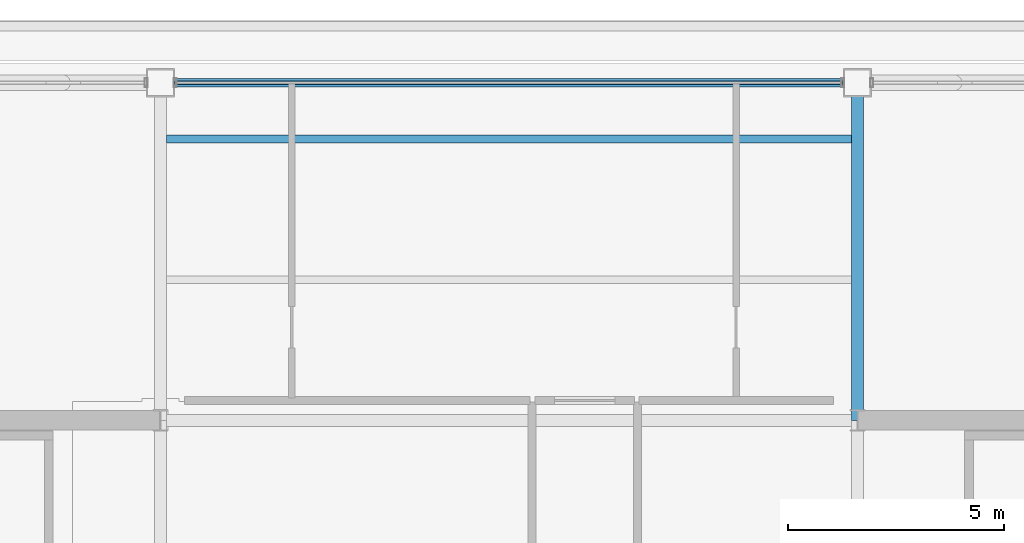
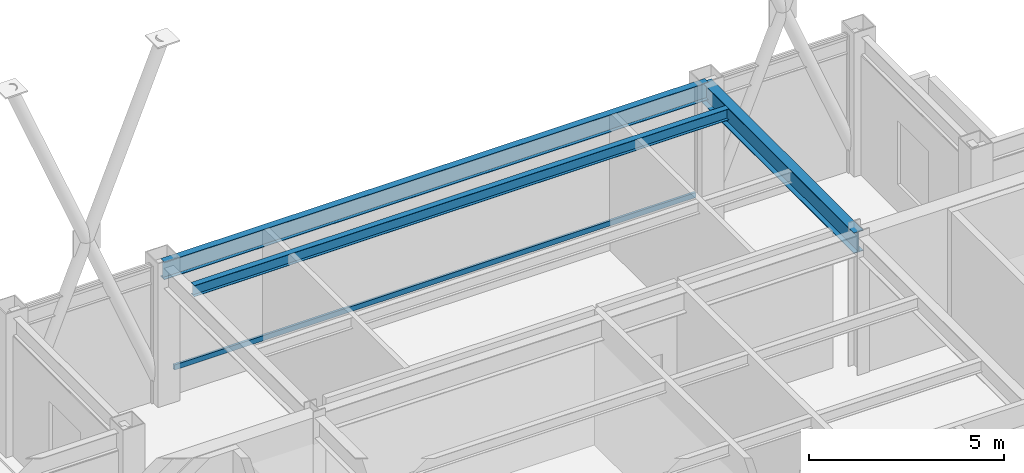
# One storey, part 12 of 19: 3 beams, 1 member, 1 element without a shape of its own.
"""IFC4 building model written with IfcOpenShell, lengths in metres."""

from ifc_helpers import new_model, si_unit, direction, frame, origin, origin_2d, place, context, subcontext, project, spatial, hollow_rectangle, i_section, extrude, material, layer, layer_set, material_profile, profile_set, type_object, element, aggregate, save


model = new_model("IFC4")

# Units and contexts
model_context = context("Model", 3, precision=1e-05, world=origin(), true_north=direction((0.0, 1.0)))
body_context = subcontext(model_context, "Body", "Model", "MODEL_VIEW")
ifc_project = project(units=[si_unit("LENGTHUNIT", "METRE"), si_unit("AREAUNIT", "SQUARE_METRE"), si_unit("VOLUMEUNIT", "CUBIC_METRE"), si_unit("PLANEANGLEUNIT", "RADIAN"), si_unit("MASSUNIT", "GRAM", prefix="KILO")], contexts=[model_context])

# Site, building, storey
site_placement = place(None, origin())
site = spatial("IfcSite", under=ifc_project, at=site_placement, CompositionType="ELEMENT")
building_placement = place(site_placement, origin())
building = spatial("IfcBuilding", under=site, at=building_placement, Name="Brelmoor Portico Tower", CompositionType="ELEMENT")
storey_placement = place(building_placement, frame((0.0, 0.0, 213.89990234375)))
storey = spatial("IfcBuildingStorey", under=building, at=storey_placement, Name="L56", CompositionType="ELEMENT", Elevation=213.89990234375)

# Beams
ifc_material_1 = material(Name="Steel Q355B", Category="steel")
ifc_material_profile_1 = material_profile(ifc_material_1, i_section(OverallWidth=0.175048828125, OverallDepth=0.35009765625, WebThickness=0.007080078125, FlangeThickness=0.010986328125, at=origin_2d()), Name="HN 350x175x7x11")
ifc_profile_set_1 = profile_set([ifc_material_profile_1], Name="Steel Q355B")
beam_type_1 = type_object("IfcBeamType", Name="BM-JS-350", PredefinedType="JOIST", material=ifc_profile_set_1)
beam_1_placement = place(storey_placement, frame((-7.909912109375, 16.25, 4.125), z_axis=(1.0, 0.0, 0.0), x_axis=(0.0, 1.0, 0.0)))
element("IfcBeam", 1, at=beam_1_placement, inside=storey, type_object=beam_type_1, Name="L56 Secondary Composite Joist JS-C06", PredefinedType="JOIST", context=body_context, shape_type="SweptSolid", body=[
    extrude(i_section(OverallWidth=0.175048828125, OverallDepth=0.35009765625, WebThickness=0.007080078125, FlangeThickness=0.010986328125, at=origin_2d()), origin(), (0.0, 0.0, 1.0), 15.81982421875),
])
ifc_material_profile_2 = material_profile(ifc_material_1, i_section(OverallWidth=0.280029296875, OverallDepth=0.64990234375, WebThickness=0.012939453125, FlangeThickness=0.02197265625, at=origin_2d()), Name="HN 650x280x13x22")
ifc_profile_set_2 = profile_set([ifc_material_profile_2], Name="Steel Q355B")
beam_type_2 = type_object("IfcBeamType", Name="BM-PG-650", PredefinedType="BEAM", material=ifc_profile_set_2)
beam_2_placement = place(storey_placement, frame((8.050048828125, 9.75, 3.97509765625), z_axis=(0.0, 1.0, 0.0), x_axis=(-1.0, 0.0, 0.0)))
element("IfcBeam", 2, at=beam_2_placement, inside=storey, type_object=beam_type_2, Name="L56 Primary Floor Girder PG-08", PredefinedType="BEAM", context=body_context, shape_type="SweptSolid", body=[
    extrude(i_section(OverallWidth=0.280029296875, OverallDepth=0.64990234375, WebThickness=0.012939453125, FlangeThickness=0.02197265625, at=origin_2d()), origin(), (0.0, 0.0, 1.0), 7.800048828125),
])
ifc_material_profile_3 = material_profile(ifc_material_1, i_section(OverallWidth=0.199951171875, OverallDepth=0.550048828125, WebThickness=0.010009765625, FlangeThickness=0.01611328125, at=origin_2d()), Name="HN 550x200x10x16")
ifc_profile_set_3 = profile_set([ifc_material_profile_3], Name="Steel Q355B")
beam_type_3 = type_object("IfcBeamType", Name="BM-SP-550", PredefinedType="SPANDREL", material=ifc_profile_set_3)
beam_3_placement = place(storey_placement, frame((-8.050048828125, 17.550048828125, 4.025146484375), z_axis=(1.0, 0.0, 0.0), x_axis=(0.0, 1.0, 0.0)))
element("IfcBeam", 3, at=beam_3_placement, inside=storey, type_object=beam_type_3, Name="L56 Perimeter Spandrel Beam SP-09", PredefinedType="SPANDREL", context=body_context, shape_type="SweptSolid", body=[
    extrude(i_section(OverallWidth=0.199951171875, OverallDepth=0.550048828125, WebThickness=0.010009765625, FlangeThickness=0.01611328125, at=origin_2d()), origin(), (0.0, 0.0, 1.0), 16.10009765625),
])

# Curtain wall, member
ifc_material_2 = material(Name="Anodised Aluminium Alloy 6063-T6", Category="aluminium")
ifc_layer = layer(ifc_material_2, 0.179931640625)
ifc_layer_set = layer_set([ifc_layer], Name="Anodised Aluminium Alloy 6063-T6")
curtain_wall_type = type_object("IfcCurtainWallType", Name="CW-SKYLOBBY", PredefinedType="NOTDEFINED", material=ifc_layer_set)
curtain_wall_placement = place(storey_placement, origin())
curtain_wall = element("IfcCurtainWall", 4, at=curtain_wall_placement, inside=storey, type_object=curtain_wall_type, Name="L56 Curtain Wall CW-L56-02-2", PredefinedType="NOTDEFINED")
ifc_material_profile_4 = material_profile(ifc_material_2, hollow_rectangle(XDim=0.070068359375, YDim=0.159912109375, WallThickness=0.00390625, at=origin_2d()), Name="ALU TRANSOM 70x160")
ifc_profile_set_4 = profile_set([ifc_material_profile_4], Name="Anodised Aluminium Alloy 6063-T6")
member_type = type_object("IfcMemberType", Name="MB-CW-TRAN-160", PredefinedType="USERDEFINED", material=ifc_profile_set_4)
member_placement = place(storey_placement, frame((-7.715087890625, 17.550048828125, 0.85009765625), z_axis=(1.0, 0.0, 0.0), x_axis=(0.0, 1.0, 0.0)))
member = element("IfcMember", 5, at=member_placement, type_object=member_type, Name="CW-L56-02-2 Transom 1-00", ObjectType="TRANSOM", PredefinedType="USERDEFINED", context=body_context, shape_type="SweptSolid", body=[
    extrude(hollow_rectangle(XDim=0.070068359375, YDim=0.159912109375, WallThickness=0.00390625, at=origin_2d()), origin(), (0.0, 0.0, 1.0), 15.43017578125),
])
aggregate(curtain_wall, [member])

save(model, "model.ifc")
